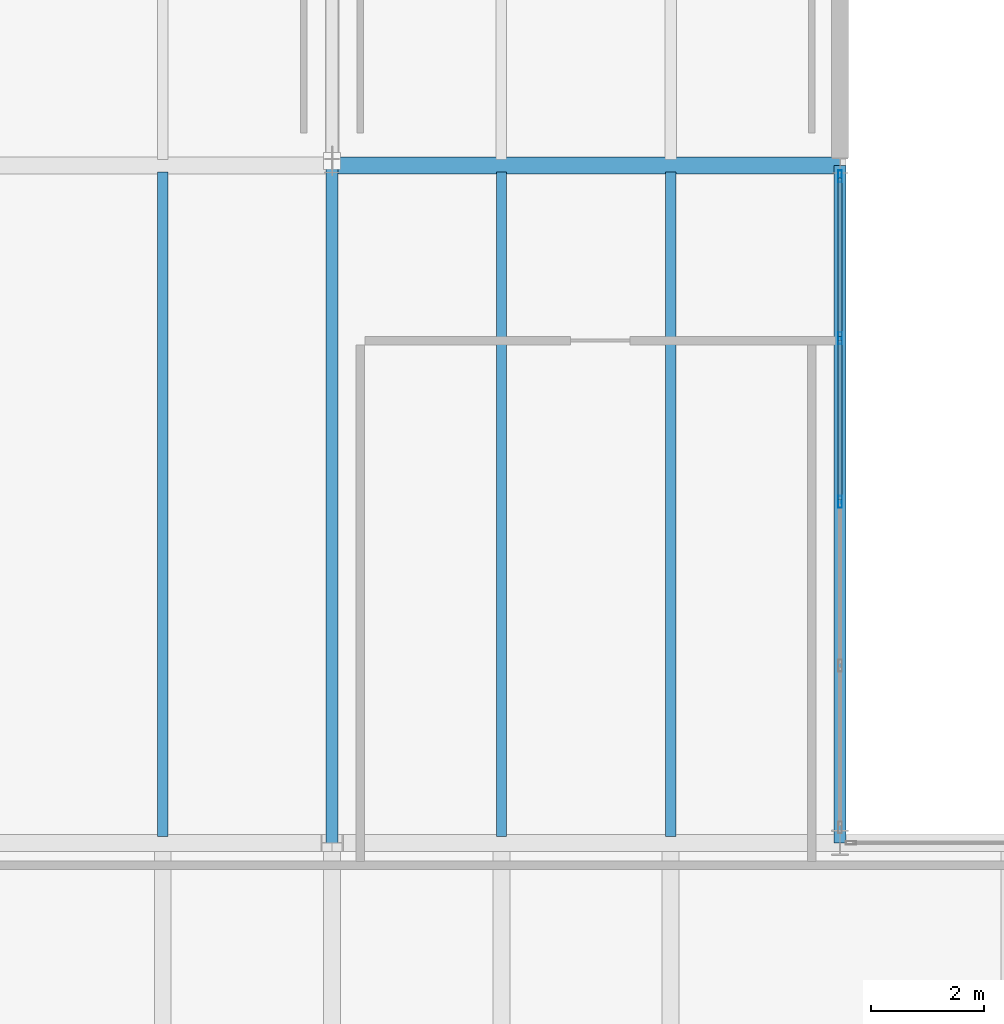
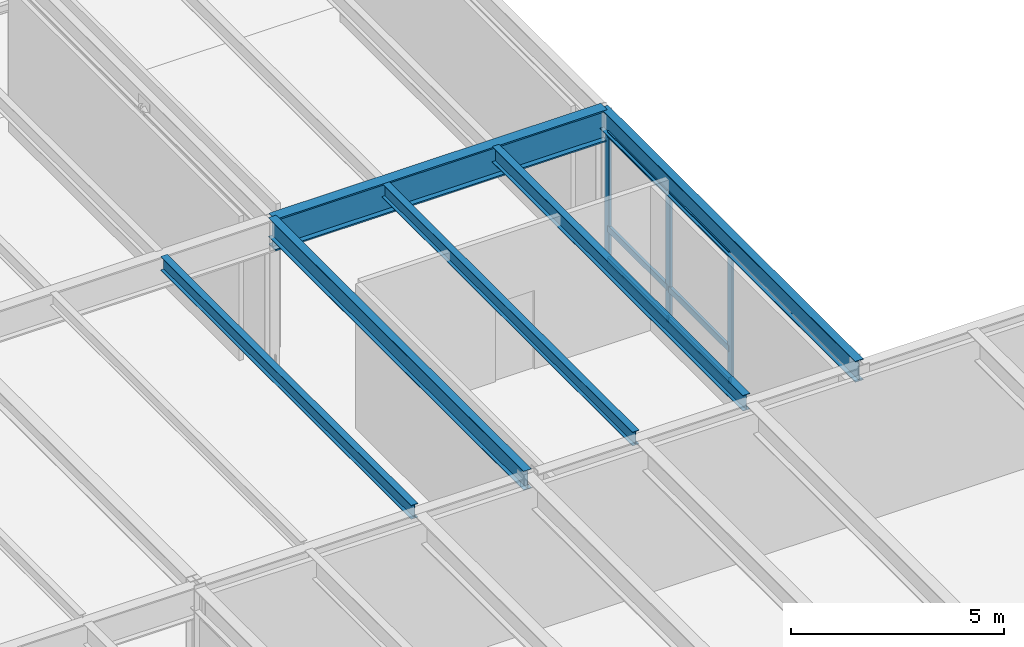
# One storey, part 50 of 115: 9 members, 6 beams, 1 element without a shape of its own.
"""IFC4 building model written with IfcOpenShell, lengths in metres."""

from ifc_helpers import new_model, si_unit, direction, frame, origin, origin_2d, place, context, subcontext, project, spatial, hollow_rectangle, i_section, extrude, material, layer, layer_set, material_profile, profile_set, type_object, element, aggregate, save


model = new_model("IFC4")

# Units and contexts
model_context = context("Model", 3, precision=1e-05, world=origin(), true_north=direction((0.0, 1.0)))
body_context = subcontext(model_context, "Body", "Model", "MODEL_VIEW")
ifc_project = project(units=[si_unit("LENGTHUNIT", "METRE"), si_unit("AREAUNIT", "SQUARE_METRE"), si_unit("VOLUMEUNIT", "CUBIC_METRE"), si_unit("PLANEANGLEUNIT", "RADIAN"), si_unit("MASSUNIT", "GRAM", prefix="KILO")], contexts=[model_context])

# Site, building, storey
site_placement = place(None, origin())
site = spatial("IfcSite", under=ifc_project, at=site_placement, CompositionType="ELEMENT")
building_placement = place(site_placement, origin())
building = spatial("IfcBuilding", under=site, at=building_placement, Name="Montelvaro Courts of Justice", CompositionType="ELEMENT")
storey_placement = place(building_placement, frame((0.0, 0.0, 9.89990234375)))
storey = spatial("IfcBuildingStorey", under=building, at=storey_placement, Name="L02", CompositionType="ELEMENT", Elevation=9.89990234375)

# Beams
ifc_material_1 = material(Name="Steel S355", Category="steel")
ifc_material_profile_1 = material_profile(ifc_material_1, i_section(OverallWidth=0.302001953125, OverallDepth=0.909912109375, WebThickness=0.02099609375, FlangeThickness=0.0400390625, at=origin_2d()), Name="HEM 900")
ifc_profile_set_1 = profile_set([ifc_material_profile_1], Name="Steel S355")
beam_type_1 = type_object("IfcBeamType", Name="Beam_HEM900", PredefinedType="USERDEFINED", material=ifc_profile_set_1)
beam_1_placement = place(storey_placement, frame((117.0, 54.0, 3.84521484375), z_axis=(1.0, 0.0, 0.0), x_axis=(0.0, 1.0, 0.0)))
element("IfcBeam", 1, at=beam_1_placement, inside=storey, type_object=beam_type_1, Name="Beam B-31 L02", ObjectType="GIRDER", PredefinedType="USERDEFINED", context=body_context, shape_type="SweptSolid", body=[
    extrude(i_section(OverallWidth=0.302001953125, OverallDepth=0.909912109375, WebThickness=0.02099609375, FlangeThickness=0.0400390625, at=origin_2d()), origin(), (0.0, 0.0, 1.0), 9.0),
])
ifc_material_profile_2 = material_profile(ifc_material_1, i_section(OverallWidth=0.179931640625, OverallDepth=0.39990234375, WebThickness=0.008544921875, FlangeThickness=0.013427734375, at=origin_2d()), Name="IPE 400")
ifc_profile_set_2 = profile_set([ifc_material_profile_2], Name="Steel S355")
beam_type_2 = type_object("IfcBeamType", Name="Beam_IPE400", PredefinedType="BEAM", material=ifc_profile_set_2)
for number, where, z_axis, x_axis, name in (
    (2, (114.0, 42.110107421875, 4.10009765625), (0.0, 1.0, 0.0), (-1.0, 0.0, 0.0), "Beam B-08 L02"),
    (3, (120.0, 42.110107421875, 4.10009765625), (0.0, 1.0, 0.0), (-1.0, 0.0, 0.0), "Beam B-08 L02"),
):
    element("IfcBeam", number, at=place(storey_placement, frame(where, z_axis=z_axis, x_axis=x_axis)), inside=storey, type_object=beam_type_2, Name=name, PredefinedType="BEAM", context=body_context, shape_type="SweptSolid", body=[
        extrude(i_section(OverallWidth=0.179931640625, OverallDepth=0.39990234375, WebThickness=0.008544921875, FlangeThickness=0.013427734375, at=origin_2d()), origin(), (0.0, 0.0, 1.0), 11.77978515625),
    ])
ifc_material_profile_3 = material_profile(ifc_material_1, i_section(OverallWidth=0.18994140625, OverallDepth=0.449951171875, WebThickness=0.009521484375, FlangeThickness=0.0146484375, at=origin_2d()), Name="IPE 450")
ifc_profile_set_3 = profile_set([ifc_material_profile_3], Name="Steel S355")
beam_type_3 = type_object("IfcBeamType", Name="Beam_IPE450", PredefinedType="BEAM", material=ifc_profile_set_3)
beam_2_placement = place(storey_placement, frame((123.0, 42.110107421875, 4.0751953125), z_axis=(0.0, 1.0, 0.0), x_axis=(-1.0, 0.0, 0.0)))
element("IfcBeam", 4, at=beam_2_placement, inside=storey, type_object=beam_type_3, Name="Beam B-09 L02", PredefinedType="BEAM", context=body_context, shape_type="SweptSolid", body=[
    extrude(i_section(OverallWidth=0.18994140625, OverallDepth=0.449951171875, WebThickness=0.009521484375, FlangeThickness=0.0146484375, at=origin_2d()), origin(), (0.0, 0.0, 1.0), 11.77978515625),
])
ifc_material_profile_4 = material_profile(ifc_material_1, i_section(OverallWidth=0.2099609375, OverallDepth=0.550048828125, WebThickness=0.010986328125, FlangeThickness=0.01708984375, at=origin_2d()), Name="IPE 550")
ifc_profile_set_4 = profile_set([ifc_material_profile_4], Name="Steel S355")
beam_type_4 = type_object("IfcBeamType", Name="Beam_IPE550", PredefinedType="BEAM", material=ifc_profile_set_4)
beam_3_placement = place(storey_placement, frame((117.0, 42.0, 4.025146484375), z_axis=(0.0, 1.0, 0.0), x_axis=(-1.0, 0.0, 0.0)))
element("IfcBeam", 5, at=beam_3_placement, inside=storey, type_object=beam_type_4, Name="Beam B-11 L02", PredefinedType="BEAM", context=body_context, shape_type="SweptSolid", body=[
    extrude(i_section(OverallWidth=0.2099609375, OverallDepth=0.550048828125, WebThickness=0.010986328125, FlangeThickness=0.01708984375, at=origin_2d()), origin(), (0.0, 0.0, 1.0), 12.0),
])
ifc_material_profile_5 = material_profile(ifc_material_1, i_section(OverallWidth=0.219970703125, OverallDepth=0.60009765625, WebThickness=0.011962890625, FlangeThickness=0.01904296875, at=origin_2d()), Name="IPE 600")
ifc_profile_set_5 = profile_set([ifc_material_profile_5], Name="Steel S355")
beam_type_5 = type_object("IfcBeamType", Name="Beam_IPE600", PredefinedType="USERDEFINED", material=ifc_profile_set_5)
beam_4_placement = place(storey_placement, frame((126.0, 42.0, 4.0), z_axis=(0.0, 1.0, 0.0), x_axis=(-1.0, 0.0, 0.0)))
element("IfcBeam", 6, at=beam_4_placement, inside=storey, type_object=beam_type_5, Name="Beam B-12 L02", ObjectType="GIRDER", PredefinedType="USERDEFINED", context=body_context, shape_type="SweptSolid", body=[
    extrude(i_section(OverallWidth=0.219970703125, OverallDepth=0.60009765625, WebThickness=0.011962890625, FlangeThickness=0.01904296875, at=origin_2d()), origin(), (0.0, 0.0, 1.0), 12.0),
])

# Curtain wall, members
ifc_material_2 = material(Name="Anodised aluminium EN AW-6063", Category="aluminium")
ifc_layer = layer(ifc_material_2, 0.159912109375)
ifc_layer_set = layer_set([ifc_layer], Name="Anodised aluminium EN AW-6063")
curtain_wall_type = type_object("IfcCurtainWallType", Name="CurtainWall_19_1159x418", PredefinedType="USERDEFINED", material=ifc_layer_set)
curtain_wall_placement = place(storey_placement, origin())
curtain_wall = element("IfcCurtainWall", 7, at=curtain_wall_placement, inside=storey, type_object=curtain_wall_type, Name="Curtain Wall CW-19 (L02)", ObjectType="CURTAIN WALL", PredefinedType="USERDEFINED")
ifc_material_profile_6 = material_profile(ifc_material_2, hollow_rectangle(XDim=0.06494140625, YDim=0.2099609375, WallThickness=0.0048828125, at=origin_2d()), Name="ALU-M 65x210")
ifc_profile_set_6 = profile_set([ifc_material_profile_6], Name="Anodised aluminium EN AW-6063")
member_type_1 = type_object("IfcMemberType", Name="CurtainWall_Mullion_65x210", PredefinedType="MULLION", material=ifc_profile_set_6)
member_1_placement = place(storey_placement, frame((126.0, 48.04248046875, 0.0), z_axis=(0.0, 0.0, 1.0), x_axis=(-1.0, 0.0, 0.0)))
member_1 = element("IfcMember", 8, at=member_1_placement, type_object=member_type_1, Name="CW-19 mullion 3", PredefinedType="MULLION", context=body_context, shape_type="SweptSolid", body=[
    extrude(hollow_rectangle(XDim=0.06494140625, YDim=0.2099609375, WallThickness=0.0048828125, at=origin_2d()), origin(), (0.0, 0.0, 1.0), 3.695068359375),
])
member_2_placement = place(storey_placement, frame((126.0, 50.94384765625, 0.0), z_axis=(0.0, 0.0, 1.0), x_axis=(-1.0, 0.0, 0.0)))
member_2 = element("IfcMember", 9, at=member_2_placement, type_object=member_type_1, Name="CW-19 mullion 4", PredefinedType="MULLION", context=body_context, shape_type="SweptSolid", body=[
    extrude(hollow_rectangle(XDim=0.06494140625, YDim=0.2099609375, WallThickness=0.0048828125, at=origin_2d()), origin(), (0.0, 0.0, 1.0), 3.695068359375),
])
member_3_placement = place(storey_placement, frame((126.0, 53.8125, 0.0), z_axis=(0.0, 0.0, 1.0), x_axis=(-1.0, 0.0, 0.0)))
member_3 = element("IfcMember", 10, at=member_3_placement, type_object=member_type_1, Name="CW-19 mullion 5", PredefinedType="MULLION", context=body_context, shape_type="SweptSolid", body=[
    extrude(hollow_rectangle(XDim=0.06494140625, YDim=0.2099609375, WallThickness=0.0048828125, at=origin_2d()), origin(), (0.0, 0.0, 1.0), 3.695068359375),
])
ifc_material_profile_7 = material_profile(ifc_material_2, hollow_rectangle(XDim=0.074951171875, YDim=0.179931640625, WallThickness=0.0048828125, at=origin_2d()), Name="ALU-T 75x180")
ifc_profile_set_7 = profile_set([ifc_material_profile_7], Name="Anodised aluminium EN AW-6063")
member_type_2 = type_object("IfcMemberType", Name="CurtainWall_Transom_75x180", PredefinedType="USERDEFINED", material=ifc_profile_set_7)
member_4_placement = place(storey_placement, frame((126.0, 48.074951171875, 0.03759765625), z_axis=(0.0, 1.0, 0.0), x_axis=(-1.0, 0.0, 0.0)))
member_4 = element("IfcMember", 11, at=member_4_placement, type_object=member_type_2, Name="CW-19 transom 3.1", ObjectType="TRANSOM", PredefinedType="USERDEFINED", context=body_context, shape_type="SweptSolid", body=[
    extrude(hollow_rectangle(XDim=0.074951171875, YDim=0.179931640625, WallThickness=0.0048828125, at=origin_2d()), origin(), (0.0, 0.0, 1.0), 2.836181640625),
])
member_5_placement = place(storey_placement, frame((126.0, 48.074951171875, 0.9501953125), z_axis=(0.0, 1.0, 0.0), x_axis=(-1.0, 0.0, 0.0)))
member_5 = element("IfcMember", 12, at=member_5_placement, type_object=member_type_2, Name="CW-19 transom 3.2", ObjectType="TRANSOM", PredefinedType="USERDEFINED", context=body_context, shape_type="SweptSolid", body=[
    extrude(hollow_rectangle(XDim=0.074951171875, YDim=0.179931640625, WallThickness=0.0048828125, at=origin_2d()), origin(), (0.0, 0.0, 1.0), 2.836181640625),
])
member_6_placement = place(storey_placement, frame((126.0, 48.074951171875, 3.65771484375), z_axis=(0.0, 1.0, 0.0), x_axis=(-1.0, 0.0, 0.0)))
member_6 = element("IfcMember", 13, at=member_6_placement, type_object=member_type_2, Name="CW-19 transom 3.3", ObjectType="TRANSOM", PredefinedType="USERDEFINED", context=body_context, shape_type="SweptSolid", body=[
    extrude(hollow_rectangle(XDim=0.074951171875, YDim=0.179931640625, WallThickness=0.0048828125, at=origin_2d()), origin(), (0.0, 0.0, 1.0), 2.836181640625),
])
member_7_placement = place(storey_placement, frame((126.0, 50.976318359375, 0.03759765625), z_axis=(0.0, 1.0, 0.0), x_axis=(-1.0, 0.0, 0.0)))
member_7 = element("IfcMember", 14, at=member_7_placement, type_object=member_type_2, Name="CW-19 transom 4.1", ObjectType="TRANSOM", PredefinedType="USERDEFINED", context=body_context, shape_type="SweptSolid", body=[
    extrude(hollow_rectangle(XDim=0.074951171875, YDim=0.179931640625, WallThickness=0.0048828125, at=origin_2d()), origin(), (0.0, 0.0, 1.0), 2.8037109375),
])
member_8_placement = place(storey_placement, frame((126.0, 50.976318359375, 0.9501953125), z_axis=(0.0, 1.0, 0.0), x_axis=(-1.0, 0.0, 0.0)))
member_8 = element("IfcMember", 15, at=member_8_placement, type_object=member_type_2, Name="CW-19 transom 4.2", ObjectType="TRANSOM", PredefinedType="USERDEFINED", context=body_context, shape_type="SweptSolid", body=[
    extrude(hollow_rectangle(XDim=0.074951171875, YDim=0.179931640625, WallThickness=0.0048828125, at=origin_2d()), origin(), (0.0, 0.0, 1.0), 2.8037109375),
])
member_9_placement = place(storey_placement, frame((126.0, 50.976318359375, 3.65771484375), z_axis=(0.0, 1.0, 0.0), x_axis=(-1.0, 0.0, 0.0)))
member_9 = element("IfcMember", 16, at=member_9_placement, type_object=member_type_2, Name="CW-19 transom 4.3", ObjectType="TRANSOM", PredefinedType="USERDEFINED", context=body_context, shape_type="SweptSolid", body=[
    extrude(hollow_rectangle(XDim=0.074951171875, YDim=0.179931640625, WallThickness=0.0048828125, at=origin_2d()), origin(), (0.0, 0.0, 1.0), 2.8037109375),
])
aggregate(curtain_wall, [member_1, member_2, member_3, member_4, member_5, member_6, member_7, member_8, member_9])

save(model, "model.ifc")
